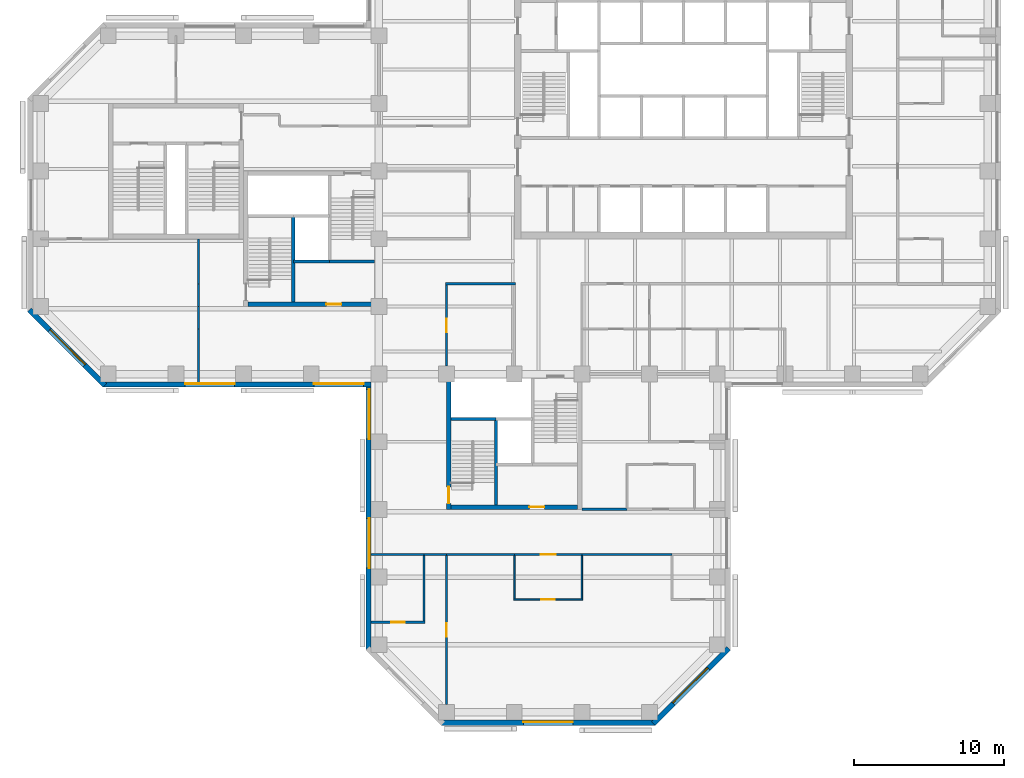
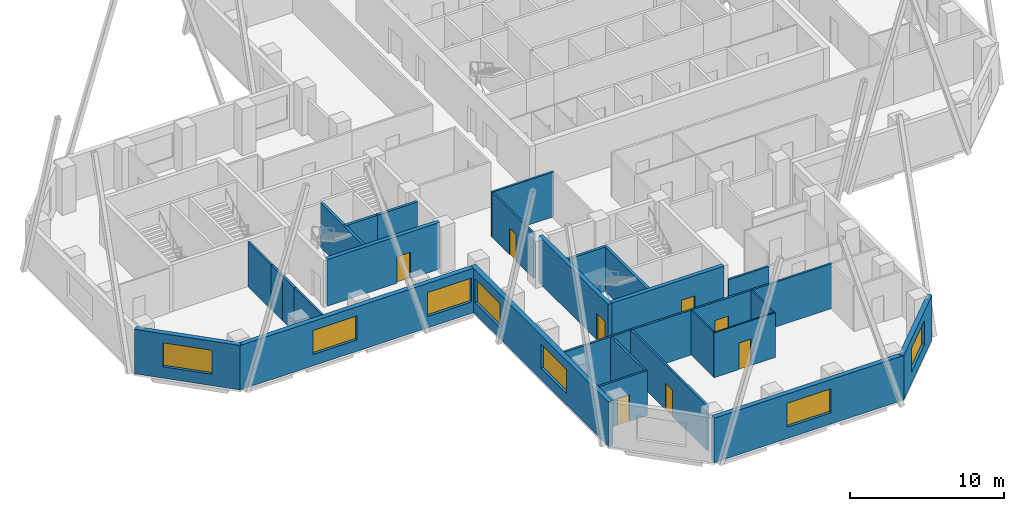
# One storey, part 3 of 10: 31 walls, 8 doors, 7 windows, 15 openings.
"""IFC4 building model written with IfcOpenShell, lengths in metres."""

from ifc_helpers import new_model, si_unit, direction, frame, frame_2d, origin, place, context, subcontext, project, spatial, rectangle, extrude, material, layer, layer_set, constituent, constituent_set, type_object, element, fill, save


model = new_model("IFC4")

# Units and contexts
model_context = context("Model", 3, precision=1e-05, world=origin(), true_north=direction((0.0, 1.0)))
body_context = subcontext(model_context, "Body", "Model", "MODEL_VIEW")
ifc_project = project(units=[si_unit("LENGTHUNIT", "METRE"), si_unit("AREAUNIT", "SQUARE_METRE"), si_unit("VOLUMEUNIT", "CUBIC_METRE"), si_unit("PLANEANGLEUNIT", "RADIAN"), si_unit("MASSUNIT", "GRAM", prefix="KILO")], contexts=[model_context])

# Site, building, storey
site_placement = place(None, origin())
site = spatial("IfcSite", under=ifc_project, at=site_placement, CompositionType="ELEMENT")
building_placement = place(site_placement, origin())
building = spatial("IfcBuilding", under=site, at=building_placement, Name="Quoin Convention Tower", CompositionType="ELEMENT")
storey_placement = place(building_placement, frame((0.0, 0.0, 97.39990234375)))
storey = spatial("IfcBuildingStorey", under=building, at=storey_placement, Name="L25", CompositionType="ELEMENT", Elevation=97.39990234375)

# Wall, opening, door
ifc_material_1 = material(Name="Plasterboard")
ifc_layer_1 = layer(ifc_material_1, 0.012451171875, Name="Finish")
ifc_material_2 = material(Name="Steel stud framing", Category="steel")
ifc_layer_2 = layer(ifc_material_2, 0.125, Name="Structure")
ifc_layer_3 = layer(ifc_material_1, 0.012451171875, Name="Finish")
ifc_layer_set_1 = layer_set([ifc_layer_1, ifc_layer_2, ifc_layer_3], Name="Steel stud framing")
wall_type_1 = type_object("IfcWallType", Name="Acoustic partition 150", PredefinedType="PARTITIONING", material=ifc_layer_set_1)
wall_1_placement = place(storey_placement, frame((35.47509765625, 24.0, 0.0), z_axis=(0.0, 0.0, 1.0), x_axis=(1.0, 0.0, 0.0)))
wall_1 = element("IfcWall", 1, at=wall_1_placement, inside=storey, type_object=wall_type_1, Name="pw-L25-001", PredefinedType="PARTITIONING", context=body_context, shape_type="SweptSolid", body=[
    extrude(rectangle(XDim=3.599853515625, YDim=0.14990234375, at=frame_2d((1.7998046875, 0.0))), origin(), (0.0, 0.0, 1.0), 3.550048828125),
])
opening_1_placement = place(wall_1_placement, frame((1.35009765625, 0.0, 0.0)))
opening_1 = element("IfcOpeningElement", 2, at=opening_1_placement, cuts=wall_1, Name="Opening DOL3-01", PredefinedType="OPENING", context=body_context, shape_type="SweptSolid", body=[
    extrude(rectangle(XDim=0.89990234375, YDim=2.10009765625, at=frame_2d((0.449951171875, 1.050048828125))), frame((0.0, 0.0849609375, 0.0), z_axis=(0.0, -1.0, 0.0), x_axis=(1.0, 0.0, 0.0)), (0.0, 0.0, 1.0), 0.169921875),
])
ifc_material_3 = material(Name="Steel door leaf", Category="steel")
door_type_1 = type_object("IfcDoorType", Name="Office door 900 x 2100", OperationType="SINGLE_SWING_RIGHT", PredefinedType="DOOR", material=ifc_material_3)
door_1_placement = place(opening_1_placement, frame((0.89990234375, 0.0, 0.0), z_axis=(0.0, 0.0, 1.0), x_axis=(-1.0, 0.0, 0.0)))
door_1 = element("IfcDoor", 3, at=door_1_placement, inside=storey, type_object=door_type_1, Name="dr-L25-11", OperationType="SINGLE_SWING_LEFT", OverallHeight=2.10009765625, OverallWidth=0.89990234375, PredefinedType="DOOR", context=body_context, shape_type="SweptSolid", body=[
    extrude(rectangle(XDim=0.89990234375, YDim=2.10009765625, at=frame_2d((0.449951171875, 1.050048828125))), frame((0.0, 0.02490234375, 0.0), z_axis=(0.0, -1.0, 0.0), x_axis=(1.0, 0.0, 0.0)), (0.0, 0.0, 1.0), 0.050048828125),
])
fill(opening_1, door_1)

wall_2_placement = place(storey_placement, frame((40.5, 18.52490234375, 0.0), z_axis=(0.0, 0.0, 1.0), x_axis=(0.0, 1.0, 0.0)))
wall_2 = element("IfcWall", 4, at=wall_2_placement, inside=storey, type_object=wall_type_1, Name="pw-L25-049", PredefinedType="PARTITIONING", context=body_context, shape_type="SweptSolid", body=[
    extrude(rectangle(XDim=9.900146484375, YDim=0.14990234375, at=frame_2d((4.9501953125, 0.0))), origin(), (0.0, 0.0, 1.0), 3.550048828125),
])
opening_2_placement = place(wall_2_placement, frame((4.5, 0.0, 0.0)))
opening_2 = element("IfcOpeningElement", 5, at=opening_2_placement, cuts=wall_2, Name="Opening DOL3-23", PredefinedType="OPENING", context=body_context, shape_type="SweptSolid", body=[
    extrude(rectangle(XDim=0.89990234375, YDim=2.10009765625, at=frame_2d((0.449951171875, 1.050048828125))), frame((0.0, 0.0849609375, 0.0), z_axis=(0.0, -1.0, 0.0), x_axis=(1.0, 0.0, 0.0)), (0.0, 0.0, 1.0), 0.169921875),
])
door_2_placement = place(opening_2_placement, frame((0.89990234375, 0.0, 0.0), z_axis=(0.0, 0.0, 1.0), x_axis=(-1.0, 0.0, 0.0)))
door_2 = element("IfcDoor", 6, at=door_2_placement, inside=storey, type_object=door_type_1, Name="dr-L25-10", OperationType="SINGLE_SWING_LEFT", OverallHeight=2.10009765625, OverallWidth=0.89990234375, PredefinedType="DOOR", context=body_context, shape_type="SweptSolid", body=[
    extrude(rectangle(XDim=0.89990234375, YDim=2.10009765625, at=frame_2d((0.449951171875, 1.050048828125))), frame((0.0, 0.02490234375, 0.0), z_axis=(0.0, -1.0, 0.0), x_axis=(1.0, 0.0, 0.0)), (0.0, 0.0, 1.0), 0.050048828125),
])
fill(opening_2, door_2)

# Wall
wall_3_placement = place(storey_placement, frame((39.0, 24.074951171875, 0.0), z_axis=(0.0, 0.0, 1.0), x_axis=(0.0, 1.0, 0.0)))
element("IfcWall", 7, at=wall_3_placement, inside=storey, type_object=wall_type_1, Name="pw-L25-050", PredefinedType="PARTITIONING", context=body_context, shape_type="SweptSolid", body=[
    extrude(rectangle(XDim=4.35009765625, YDim=0.14990234375, at=frame_2d((2.175048828125, 0.0))), origin(), (0.0, 0.0, 1.0), 3.550048828125),
])

# Wall, opening, window
ifc_material_4 = material(Name="Brick masonry", Category="masonry")
ifc_layer_4 = layer(ifc_material_4, 0.35009765625)
ifc_layer_set_2 = layer_set([ifc_layer_4], Name="Brick masonry")
wall_type_2 = type_object("IfcWallType", Name="Brick facade wall", PredefinedType="STANDARD", material=ifc_layer_set_2)
wall_4_placement = place(storey_placement, frame((12.748779296875, 44.76123046875, 0.0), z_axis=(0.0, 0.0, 1.0), x_axis=(0.707106781187, -0.707106781187, 0.0)))
wall_4 = element("IfcWall", 8, at=wall_4_placement, inside=storey, type_object=wall_type_2, Name="fw-L25-13500_45000", PredefinedType="STANDARD", context=body_context, shape_type="SweptSolid", body=[
    extrude(rectangle(XDim=7.088623046875, YDim=0.35009765625, at=frame_2d((3.54443359375, 0.0))), origin(), (0.0, 0.0, 1.0), 3.525146484375),
])
opening_3_placement = place(wall_4_placement, frame((1.894287109375, 0.0, 0.89990234375)))
opening_3 = element("IfcOpeningElement", 9, at=opening_3_placement, cuts=wall_4, Name="Opening W-02", PredefinedType="OPENING", context=body_context, shape_type="SweptSolid", body=[
    extrude(rectangle(XDim=3.300048828125, YDim=1.89990234375, at=frame_2d((1.64990234375, 0.949951171875))), frame((0.0, 0.18505859375, 0.0), z_axis=(0.0, -1.0, 0.0), x_axis=(1.0, 0.0, 0.0)), (0.0, 0.0, 1.0), 0.3701171875),
])
ifc_material_5 = material(Name="Aluminium", Category="aluminium")
ifc_constituent_1 = constituent(ifc_material_5, Name="Frame")
ifc_material_6 = material(Name="Insulated glass", Category="glass")
ifc_constituent_2 = constituent(ifc_material_6, Name="Glazing")
ifc_constituent_set = constituent_set(constituents=[ifc_constituent_1, ifc_constituent_2], Name="Aluminium")
window_type = type_object("IfcWindowType", Name="Office window", PartitioningType="DOUBLE_PANEL_VERTICAL", PredefinedType="WINDOW", material=ifc_constituent_set)
window_1_placement = place(opening_3_placement, origin())
window_1 = element("IfcWindow", 10, at=window_1_placement, inside=storey, type_object=window_type, Name="win-L25-15255_42255", OverallHeight=1.89990234375, OverallWidth=3.300048828125, PartitioningType="SINGLE_PANEL", PredefinedType="WINDOW", context=body_context, shape_type="SweptSolid", body=[
    extrude(rectangle(XDim=3.300048828125, YDim=1.89990234375, at=frame_2d((1.64990234375, 0.949951171875))), frame((0.0, 0.0849609375, 0.0), z_axis=(0.0, -1.0, 0.0), x_axis=(1.0, 0.0, 0.0)), (0.0, 0.0, 1.0), 0.06005859375),
])
fill(opening_3, window_1)

# Wall, openings, windows
wall_5_placement = place(storey_placement, frame((17.6376953125, 39.800048828125, 0.0), z_axis=(0.0, 0.0, 1.0), x_axis=(1.0, 0.0, 0.0)))
wall_5 = element("IfcWall", 11, at=wall_5_placement, inside=storey, type_object=wall_type_2, Name="fw-L25-18000_40500", PredefinedType="STANDARD", context=body_context, shape_type="SweptSolid", body=[
    extrude(rectangle(XDim=17.83740234375, YDim=0.35009765625, at=frame_2d((8.918701171875, 0.0))), origin(), (0.0, 0.0, 1.0), 3.525146484375),
])
opening_4_placement = place(wall_5_placement, frame((5.46240234375, 0.0, 0.89990234375)))
opening_4 = element("IfcOpeningElement", 12, at=opening_4_placement, cuts=wall_5, Name="Opening W-02", PredefinedType="OPENING", context=body_context, shape_type="SweptSolid", body=[
    extrude(rectangle(XDim=3.300048828125, YDim=1.89990234375, at=frame_2d((1.64990234375, 0.949951171875))), frame((0.0, 0.18505859375, 0.0), z_axis=(0.0, -1.0, 0.0), x_axis=(1.0, 0.0, 0.0)), (0.0, 0.0, 1.0), 0.3701171875),
])
opening_5_placement = place(wall_5_placement, frame((14.037353515625, 0.0, 0.89990234375)))
opening_5 = element("IfcOpeningElement", 13, at=opening_5_placement, cuts=wall_5, Name="Opening W-02", PredefinedType="OPENING", context=body_context, shape_type="SweptSolid", body=[
    extrude(rectangle(XDim=3.300048828125, YDim=1.89990234375, at=frame_2d((1.64990234375, 0.949951171875))), frame((0.0, 0.18505859375, 0.0), z_axis=(0.0, -1.0, 0.0), x_axis=(1.0, 0.0, 0.0)), (0.0, 0.0, 1.0), 0.3701171875),
])
window_2_placement = place(opening_4_placement, origin())
window_2 = element("IfcWindow", 14, at=window_2_placement, inside=storey, type_object=window_type, Name="win-L25-24750_39800", OverallHeight=1.89990234375, OverallWidth=3.300048828125, PartitioningType="SINGLE_PANEL", PredefinedType="WINDOW", context=body_context, shape_type="SweptSolid", body=[
    extrude(rectangle(XDim=3.300048828125, YDim=1.89990234375, at=frame_2d((1.64990234375, 0.949951171875))), frame((0.0, 0.0849609375, 0.0), z_axis=(0.0, -1.0, 0.0), x_axis=(1.0, 0.0, 0.0)), (0.0, 0.0, 1.0), 0.06005859375),
])
fill(opening_4, window_2)
window_3_placement = place(opening_5_placement, origin())
window_3 = element("IfcWindow", 15, at=window_3_placement, inside=storey, type_object=window_type, Name="win-L25-33750_39800", OverallHeight=1.89990234375, OverallWidth=3.300048828125, PartitioningType="SINGLE_PANEL", PredefinedType="WINDOW", context=body_context, shape_type="SweptSolid", body=[
    extrude(rectangle(XDim=3.300048828125, YDim=1.89990234375, at=frame_2d((1.64990234375, 0.949951171875))), frame((0.0, 0.0849609375, 0.0), z_axis=(0.0, -1.0, 0.0), x_axis=(1.0, 0.0, 0.0)), (0.0, 0.0, 1.0), 0.06005859375),
])
fill(opening_5, window_3)

wall_6_placement = place(storey_placement, frame((35.300048828125, 39.97509765625, 0.0), z_axis=(0.0, 0.0, 1.0), x_axis=(0.0, -1.0, 0.0)))
wall_6 = element("IfcWall", 16, at=wall_6_placement, inside=storey, type_object=wall_type_2, Name="fw-L25-36000_40500", PredefinedType="STANDARD", context=body_context, shape_type="SweptSolid", body=[
    extrude(rectangle(XDim=17.83740234375, YDim=0.35009765625, at=frame_2d((8.918701171875, 0.0))), origin(), (0.0, 0.0, 1.0), 3.525146484375),
])
opening_6_placement = place(wall_6_placement, frame((0.5, 0.0, 0.89990234375)))
opening_6 = element("IfcOpeningElement", 17, at=opening_6_placement, cuts=wall_6, Name="Opening W-02", PredefinedType="OPENING", context=body_context, shape_type="SweptSolid", body=[
    extrude(rectangle(XDim=3.300048828125, YDim=1.89990234375, at=frame_2d((1.64990234375, 0.949951171875))), frame((0.0, 0.18505859375, 0.0), z_axis=(0.0, -1.0, 0.0), x_axis=(1.0, 0.0, 0.0)), (0.0, 0.0, 1.0), 0.3701171875),
])
opening_7_placement = place(wall_6_placement, frame((9.074951171875, 0.0, 0.89990234375)))
opening_7 = element("IfcOpeningElement", 18, at=opening_7_placement, cuts=wall_6, Name="Opening W-02", PredefinedType="OPENING", context=body_context, shape_type="SweptSolid", body=[
    extrude(rectangle(XDim=3.300048828125, YDim=1.89990234375, at=frame_2d((1.64990234375, 0.949951171875))), frame((0.0, 0.18505859375, 0.0), z_axis=(0.0, -1.0, 0.0), x_axis=(1.0, 0.0, 0.0)), (0.0, 0.0, 1.0), 0.3701171875),
])
window_4_placement = place(opening_6_placement, origin())
window_4 = element("IfcWindow", 19, at=window_4_placement, inside=storey, type_object=window_type, Name="win-L25-35300_38250", OverallHeight=1.89990234375, OverallWidth=3.300048828125, PartitioningType="SINGLE_PANEL", PredefinedType="WINDOW", context=body_context, shape_type="SweptSolid", body=[
    extrude(rectangle(XDim=3.300048828125, YDim=1.89990234375, at=frame_2d((1.64990234375, 0.949951171875))), frame((0.0, 0.0849609375, 0.0), z_axis=(0.0, -1.0, 0.0), x_axis=(1.0, 0.0, 0.0)), (0.0, 0.0, 1.0), 0.06005859375),
])
fill(opening_6, window_4)
window_5_placement = place(opening_7_placement, origin())
window_5 = element("IfcWindow", 20, at=window_5_placement, inside=storey, type_object=window_type, Name="win-L25-35300_29250", OverallHeight=1.89990234375, OverallWidth=3.300048828125, PartitioningType="SINGLE_PANEL", PredefinedType="WINDOW", context=body_context, shape_type="SweptSolid", body=[
    extrude(rectangle(XDim=3.300048828125, YDim=1.89990234375, at=frame_2d((1.64990234375, 0.949951171875))), frame((0.0, 0.0849609375, 0.0), z_axis=(0.0, -1.0, 0.0), x_axis=(1.0, 0.0, 0.0)), (0.0, 0.0, 1.0), 0.06005859375),
])
fill(opening_7, window_5)

# Wall, opening, window
wall_7_placement = place(storey_placement, frame((40.1376953125, 17.300048828125, 0.0), z_axis=(0.0, 0.0, 1.0), x_axis=(1.0, 0.0, 0.0)))
wall_7 = element("IfcWall", 21, at=wall_7_placement, inside=storey, type_object=wall_type_2, Name="fw-L25-40500_18000", PredefinedType="STANDARD", context=body_context, shape_type="SweptSolid", body=[
    extrude(rectangle(XDim=14.224609375, YDim=0.35009765625, at=frame_2d((7.1123046875, 0.0))), origin(), (0.0, 0.0, 1.0), 3.525146484375),
])
opening_8_placement = place(wall_7_placement, frame((5.46240234375, 0.0, 0.89990234375)))
opening_8 = element("IfcOpeningElement", 22, at=opening_8_placement, cuts=wall_7, Name="Opening W-02", PredefinedType="OPENING", context=body_context, shape_type="SweptSolid", body=[
    extrude(rectangle(XDim=3.300048828125, YDim=1.89990234375, at=frame_2d((1.64990234375, 0.949951171875))), frame((0.0, 0.18505859375, 0.0), z_axis=(0.0, -1.0, 0.0), x_axis=(1.0, 0.0, 0.0)), (0.0, 0.0, 1.0), 0.3701171875),
])
window_6_placement = place(opening_8_placement, origin())
window_6 = element("IfcWindow", 23, at=window_6_placement, inside=storey, type_object=window_type, Name="win-L25-47250_17300", OverallHeight=1.89990234375, OverallWidth=3.300048828125, PartitioningType="SINGLE_PANEL", PredefinedType="WINDOW", context=body_context, shape_type="SweptSolid", body=[
    extrude(rectangle(XDim=3.300048828125, YDim=1.89990234375, at=frame_2d((1.64990234375, 0.949951171875))), frame((0.0, 0.0849609375, 0.0), z_axis=(0.0, -1.0, 0.0), x_axis=(1.0, 0.0, 0.0)), (0.0, 0.0, 1.0), 0.06005859375),
])
fill(opening_8, window_6)

wall_8_placement = place(storey_placement, frame((54.23876953125, 17.248779296875, 0.0), z_axis=(0.0, 0.0, 1.0), x_axis=(0.707106781187, 0.707106781187, 0.0)))
wall_8 = element("IfcWall", 24, at=wall_8_placement, inside=storey, type_object=wall_type_2, Name="fw-L25-54000_18000", PredefinedType="STANDARD", context=body_context, shape_type="SweptSolid", body=[
    extrude(rectangle(XDim=7.088623046875, YDim=0.35009765625, at=frame_2d((3.54443359375, 0.0))), origin(), (0.0, 0.0, 1.0), 3.525146484375),
])
opening_9_placement = place(wall_8_placement, frame((1.894287109375, 0.0, 0.89990234375)))
opening_9 = element("IfcOpeningElement", 25, at=opening_9_placement, cuts=wall_8, Name="Opening W-02", PredefinedType="OPENING", context=body_context, shape_type="SweptSolid", body=[
    extrude(rectangle(XDim=3.300048828125, YDim=1.89990234375, at=frame_2d((1.64990234375, 0.949951171875))), frame((0.0, 0.18505859375, 0.0), z_axis=(0.0, -1.0, 0.0), x_axis=(1.0, 0.0, 0.0)), (0.0, 0.0, 1.0), 0.3701171875),
])
window_7_placement = place(opening_9_placement, origin())
window_7 = element("IfcWindow", 26, at=window_7_placement, inside=storey, type_object=window_type, Name="win-L25-56745_19755", OverallHeight=1.89990234375, OverallWidth=3.300048828125, PartitioningType="SINGLE_PANEL", PredefinedType="WINDOW", context=body_context, shape_type="SweptSolid", body=[
    extrude(rectangle(XDim=3.300048828125, YDim=1.89990234375, at=frame_2d((1.64990234375, 0.949951171875))), frame((0.0, 0.0849609375, 0.0), z_axis=(0.0, -1.0, 0.0), x_axis=(1.0, 0.0, 0.0)), (0.0, 0.0, 1.0), 0.06005859375),
])
fill(opening_9, window_7)

# Walls
ifc_material_7 = material(Name="Concrete C50", Category="concrete")
ifc_layer_5 = layer(ifc_material_7, 0.199951171875)
ifc_layer_set_3 = layer_set([ifc_layer_5], Name="Concrete C50")
wall_type_3 = type_object("IfcWallType", Name="Core shaft wall", PredefinedType="SOLIDWALL", material=ifc_layer_set_3)
wall_9_placement = place(storey_placement, frame((30.300048828125, 48.0, 0.0), z_axis=(0.0, 0.0, 1.0), x_axis=(1.0, 0.0, 0.0)))
element("IfcWall", 27, at=wall_9_placement, inside=storey, type_object=wall_type_3, Name="cr-P2-L25-h3000_3300", PredefinedType="SOLIDWALL", context=body_context, shape_type="SweptSolid", body=[
    extrude(rectangle(XDim=2.39990234375, YDim=0.199951171875, at=frame_2d((1.199951171875, 0.0))), origin(), (0.0, 0.0, 1.0), 3.550048828125),
])
wall_10_placement = place(storey_placement, frame((32.699951171875, 48.0, 0.0), z_axis=(0.0, 0.0, 1.0), x_axis=(1.0, 0.0, 0.0)))
element("IfcWall", 28, at=wall_10_placement, inside=storey, type_object=wall_type_3, Name="cr-P2-L25-h3000_5700", PredefinedType="SOLIDWALL", context=body_context, shape_type="SweptSolid", body=[
    extrude(rectangle(XDim=3.0, YDim=0.199951171875, at=frame_2d((1.5, 0.0))), origin(), (0.0, 0.0, 1.0), 3.550048828125),
])
wall_11_placement = place(storey_placement, frame((30.300048828125, 45.300048828125, 0.0), z_axis=(0.0, 0.0, 1.0), x_axis=(0.0, 1.0, 0.0)))
element("IfcWall", 29, at=wall_11_placement, inside=storey, type_object=wall_type_3, Name="cr-P2-L25-v3300_300", PredefinedType="SOLIDWALL", context=body_context, shape_type="SweptSolid", body=[
    extrude(rectangle(XDim=5.699951171875, YDim=0.199951171875, at=frame_2d((2.85009765625, 0.0))), origin(), (0.0, 0.0, 1.0), 3.550048828125),
])
wall_12_placement = place(storey_placement, frame((40.800048828125, 37.5, 0.0), z_axis=(0.0, 0.0, 1.0), x_axis=(1.0, 0.0, 0.0)))
element("IfcWall", 30, at=wall_12_placement, inside=storey, type_object=wall_type_3, Name="cr-P3-L25-h6000_300", PredefinedType="SOLIDWALL", context=body_context, shape_type="SweptSolid", body=[
    extrude(rectangle(XDim=3.0, YDim=0.199951171875, at=frame_2d((1.5, 0.0))), origin(), (0.0, 0.0, 1.0), 3.550048828125),
])
wall_13_placement = place(storey_placement, frame((43.800048828125, 31.800048828125, 0.0), z_axis=(0.0, 0.0, 1.0), x_axis=(0.0, 1.0, 0.0)))
element("IfcWall", 31, at=wall_13_placement, inside=storey, type_object=wall_type_3, Name="cr-P3-L25-v3300_300", PredefinedType="SOLIDWALL", context=body_context, shape_type="SweptSolid", body=[
    extrude(rectangle(XDim=5.699951171875, YDim=0.199951171875, at=frame_2d((2.85009765625, 0.0))), origin(), (0.0, 0.0, 1.0), 3.550048828125),
])
ifc_layer_6 = layer(ifc_material_1, 0.012451171875, Name="Finish")
ifc_layer_7 = layer(ifc_material_2, 0.125, Name="Structure")
ifc_layer_8 = layer(ifc_material_1, 0.012451171875, Name="Finish")
ifc_layer_set_4 = layer_set([ifc_layer_6, ifc_layer_7, ifc_layer_8], Name="Steel stud framing")
wall_type_4 = type_object("IfcWallType", Name="Corridor wall 150", PredefinedType="PARTITIONING", material=ifc_layer_set_4)
wall_14_placement = place(storey_placement, frame((35.47509765625, 28.5, 0.0), z_axis=(0.0, 0.0, 1.0), x_axis=(1.0, 0.0, 0.0)))
element("IfcWall", 32, at=wall_14_placement, inside=storey, type_object=wall_type_4, Name="pw-L25-004", PredefinedType="PARTITIONING", context=body_context, shape_type="SweptSolid", body=[
    extrude(rectangle(XDim=3.52490234375, YDim=0.14990234375, at=frame_2d((1.762451171875, 0.0))), origin(), (0.0, 0.0, 1.0), 3.550048828125),
])
wall_15_placement = place(storey_placement, frame((39.0, 28.5, 0.0), z_axis=(0.0, 0.0, 1.0), x_axis=(1.0, 0.0, 0.0)))
element("IfcWall", 33, at=wall_15_placement, inside=storey, type_object=wall_type_4, Name="pw-L25-005", PredefinedType="PARTITIONING", context=body_context, shape_type="SweptSolid", body=[
    extrude(rectangle(XDim=1.5, YDim=0.14990234375, at=frame_2d((0.75, 0.0))), origin(), (0.0, 0.0, 1.0), 3.550048828125),
])
wall_16_placement = place(storey_placement, frame((40.5, 28.5, 0.0), z_axis=(0.0, 0.0, 1.0), x_axis=(1.0, 0.0, 0.0)))
element("IfcWall", 34, at=wall_16_placement, inside=storey, type_object=wall_type_4, Name="pw-L25-006", PredefinedType="PARTITIONING", context=body_context, shape_type="SweptSolid", body=[
    extrude(rectangle(XDim=4.5, YDim=0.14990234375, at=frame_2d((2.25, 0.0))), origin(), (0.0, 0.0, 1.0), 3.550048828125),
])

# Wall, opening, door
wall_17_placement = place(storey_placement, frame((45.0, 28.5, 0.0), z_axis=(0.0, 0.0, 1.0), x_axis=(1.0, 0.0, 0.0)))
wall_17 = element("IfcWall", 35, at=wall_17_placement, inside=storey, type_object=wall_type_4, Name="pw-L25-007", PredefinedType="PARTITIONING", context=body_context, shape_type="SweptSolid", body=[
    extrude(rectangle(XDim=4.5, YDim=0.14990234375, at=frame_2d((2.25, 0.0))), origin(), (0.0, 0.0, 1.0), 3.550048828125),
])
opening_10_placement = place(wall_17_placement, frame((1.75, 0.0, 0.0)))
opening_10 = element("IfcOpeningElement", 36, at=opening_10_placement, cuts=wall_17, Name="Opening DOL3-04", PredefinedType="OPENING", context=body_context, shape_type="SweptSolid", body=[
    extrude(rectangle(XDim=1.0, YDim=2.10009765625, at=frame_2d((0.5, 1.050048828125))), frame((0.0, 0.0849609375, 0.0), z_axis=(0.0, -1.0, 0.0), x_axis=(1.0, 0.0, 0.0)), (0.0, 0.0, 1.0), 0.169921875),
])
door_type_2 = type_object("IfcDoorType", Name="Tenancy entrance door 1000 x 2100", OperationType="DOUBLE_DOOR_SINGLE_SWING", PredefinedType="DOOR", material=ifc_material_3)
door_3_placement = place(opening_10_placement, frame((1.0, 0.0, 0.0), z_axis=(0.0, 0.0, 1.0), x_axis=(-1.0, 0.0, 0.0)))
door_3 = element("IfcDoor", 37, at=door_3_placement, inside=storey, type_object=door_type_2, Name="dr-L25-07", OperationType="DOUBLE_DOOR_SINGLE_SWING", OverallHeight=2.10009765625, OverallWidth=1.0, PredefinedType="DOOR", context=body_context, shape_type="SweptSolid", body=[
    extrude(rectangle(XDim=1.0, YDim=2.10009765625, at=frame_2d((0.5, 1.050048828125))), frame((0.0, 0.02490234375, 0.0), z_axis=(0.0, -1.0, 0.0), x_axis=(1.0, 0.0, 0.0)), (0.0, 0.0, 1.0), 0.050048828125),
])
fill(opening_10, door_3)

# Walls
wall_18_placement = place(storey_placement, frame((49.5, 28.5, 0.0), z_axis=(0.0, 0.0, 1.0), x_axis=(1.0, 0.0, 0.0)))
element("IfcWall", 38, at=wall_18_placement, inside=storey, type_object=wall_type_4, Name="pw-L25-008", PredefinedType="PARTITIONING", context=body_context, shape_type="SweptSolid", body=[
    extrude(rectangle(XDim=6.0, YDim=0.14990234375, at=frame_2d((3.0, 0.0))), origin(), (0.0, 0.0, 1.0), 3.550048828125),
])
wall_19_placement = place(storey_placement, frame((40.425048828125, 46.5, 0.0), z_axis=(0.0, 0.0, 1.0), x_axis=(1.0, 0.0, 0.0)))
element("IfcWall", 39, at=wall_19_placement, inside=storey, type_object=wall_type_4, Name="pw-L25-023", PredefinedType="PARTITIONING", context=body_context, shape_type="SweptSolid", body=[
    extrude(rectangle(XDim=4.64990234375, YDim=0.14990234375, at=frame_2d((2.324951171875, 0.0))), origin(), (0.0, 0.0, 1.0), 3.550048828125),
])
wall_20_placement = place(storey_placement, frame((24.0, 39.97509765625, 0.0), z_axis=(0.0, 0.0, 1.0), x_axis=(0.0, 1.0, 0.0)))
element("IfcWall", 40, at=wall_20_placement, inside=storey, type_object=wall_type_4, Name="pw-L25-058", PredefinedType="PARTITIONING", context=body_context, shape_type="SweptSolid", body=[
    extrude(rectangle(XDim=3.52490234375, YDim=0.14990234375, at=frame_2d((1.762451171875, 0.0))), origin(), (0.0, 0.0, 1.0), 3.550048828125),
])

# Wall, opening, door
wall_21_placement = place(storey_placement, frame((40.5, 41.02490234375, 0.0), z_axis=(0.0, 0.0, 1.0), x_axis=(0.0, 1.0, 0.0)))
wall_21 = element("IfcWall", 41, at=wall_21_placement, inside=storey, type_object=wall_type_4, Name="pw-L25-060", PredefinedType="PARTITIONING", context=body_context, shape_type="SweptSolid", body=[
    extrude(rectangle(XDim=5.400146484375, YDim=0.14990234375, at=frame_2d((2.7001953125, 0.0))), origin(), (0.0, 0.0, 1.0), 3.550048828125),
])
opening_11_placement = place(wall_21_placement, frame((2.25, 0.0, 0.0)))
opening_11 = element("IfcOpeningElement", 42, at=opening_11_placement, cuts=wall_21, Name="Opening DOL3-24", PredefinedType="OPENING", context=body_context, shape_type="SweptSolid", body=[
    extrude(rectangle(XDim=0.89990234375, YDim=2.10009765625, at=frame_2d((0.449951171875, 1.050048828125))), frame((0.0, 0.0849609375, 0.0), z_axis=(0.0, -1.0, 0.0), x_axis=(1.0, 0.0, 0.0)), (0.0, 0.0, 1.0), 0.169921875),
])
door_4_placement = place(opening_11_placement, frame((0.89990234375, 0.0, 0.0), z_axis=(0.0, 0.0, 1.0), x_axis=(-1.0, 0.0, 0.0)))
door_4 = element("IfcDoor", 43, at=door_4_placement, inside=storey, type_object=door_type_1, Name="dr-L25-02", OperationType="SINGLE_SWING_LEFT", OverallHeight=2.10009765625, OverallWidth=0.89990234375, PredefinedType="DOOR", context=body_context, shape_type="SweptSolid", body=[
    extrude(rectangle(XDim=0.89990234375, YDim=2.10009765625, at=frame_2d((0.449951171875, 1.050048828125))), frame((0.0, 0.02490234375, 0.0), z_axis=(0.0, -1.0, 0.0), x_axis=(1.0, 0.0, 0.0)), (0.0, 0.0, 1.0), 0.050048828125),
])
fill(opening_11, door_4)

# Walls
for number, where, z_axis, x_axis, name in (
    (44, (24.0, 43.5, 0.0), (0.0, 0.0, 1.0), (0.0, 1.0, 0.0), "pw-L25-065"),
    (45, (24.0, 45.0, 0.0), (0.0, 0.0, 1.0), (0.0, 1.0, 0.0), "pw-L25-068"),
):
    element("IfcWall", number, at=place(storey_placement, frame(where, z_axis=z_axis, x_axis=x_axis)), inside=storey, type_object=wall_type_4, Name=name, PredefinedType="PARTITIONING", context=body_context, shape_type="SweptSolid", body=[
        extrude(rectangle(XDim=1.5, YDim=0.14990234375, at=frame_2d((0.75, 0.0))), origin(), (0.0, 0.0, 1.0), 3.550048828125),
    ])
wall_22_placement = place(storey_placement, frame((24.0, 46.5, 0.0), z_axis=(0.0, 0.0, 1.0), x_axis=(0.0, 1.0, 0.0)))
element("IfcWall", 46, at=wall_22_placement, inside=storey, type_object=wall_type_4, Name="pw-L25-069", PredefinedType="PARTITIONING", context=body_context, shape_type="SweptSolid", body=[
    extrude(rectangle(XDim=3.0, YDim=0.14990234375, at=frame_2d((1.5, 0.0))), origin(), (0.0, 0.0, 1.0), 3.550048828125),
])
ifc_layer_9 = layer(ifc_material_1, 0.012451171875, Name="Finish")
ifc_layer_10 = layer(ifc_material_2, 0.125, Name="Structure")
ifc_layer_11 = layer(ifc_material_1, 0.012451171875, Name="Finish")
ifc_layer_set_5 = layer_set([ifc_layer_9, ifc_layer_10, ifc_layer_11], Name="Steel stud framing")
wall_type_5 = type_object("IfcWallType", Name="Corridor wall 150 under beam 1000", PredefinedType="PARTITIONING", material=ifc_layer_set_5)
wall_23_placement = place(storey_placement, frame((49.5, 31.5, 0.0), z_axis=(0.0, 0.0, 1.0), x_axis=(1.0, 0.0, 0.0)))
element("IfcWall", 47, at=wall_23_placement, inside=storey, type_object=wall_type_5, Name="pw-L25-010", PredefinedType="PARTITIONING", context=body_context, shape_type="SweptSolid", body=[
    extrude(rectangle(XDim=3.0, YDim=0.14990234375, at=frame_2d((1.5, 0.0))), origin(), (0.0, 0.0, 1.0), 2.550048828125),
])

# Wall, opening, door
ifc_material_8 = material(Name="Concrete C65", Category="concrete")
ifc_layer_12 = layer(ifc_material_8, 0.300048828125)
ifc_layer_set_6 = layer_set([ifc_layer_12], Name="Concrete C65")
wall_type_6 = type_object("IfcWallType", Name="RC CORE WALL 300 C65", PredefinedType="SHEAR", material=ifc_layer_set_6)
wall_24_placement = place(storey_placement, frame((27.300048828125, 45.14990234375, 0.0), z_axis=(0.0, 0.0, 1.0), x_axis=(1.0, 0.0, 0.0)))
wall_24 = element("IfcWall", 48, at=wall_24_placement, inside=storey, type_object=wall_type_6, Name="cwl-P2-L25-S", PredefinedType="SHEAR", context=body_context, shape_type="SweptSolid", body=[
    extrude(rectangle(XDim=8.39990234375, YDim=0.300048828125, at=frame_2d((4.199951171875, 0.0))), origin(), (0.0, 0.0, 1.0), 3.7001953125),
])
opening_12_placement = place(wall_24_placement, frame((5.199951171875, 0.0, 0.0)))
opening_12 = element("IfcOpeningElement", 49, at=opening_12_placement, cuts=wall_24, Name="Opening DCV3-41", PredefinedType="OPENING", context=body_context, shape_type="SweptSolid", body=[
    extrude(rectangle(XDim=1.0, YDim=2.10009765625, at=frame_2d((0.5, 1.050048828125))), frame((0.0, 0.159912109375, 0.0), z_axis=(0.0, -1.0, 0.0), x_axis=(1.0, 0.0, 0.0)), (0.0, 0.0, 1.0), 0.320068359375),
])
door_type_3 = type_object("IfcDoorType", Name="Service door 1000 x 2100", OperationType="SINGLE_SWING_LEFT", PredefinedType="DOOR", material=ifc_material_3)
door_5_placement = place(opening_12_placement, origin())
door_5 = element("IfcDoor", 50, at=door_5_placement, inside=storey, type_object=door_type_3, Name="cd-P2-L25-R2-S", OperationType="SINGLE_SWING_LEFT", OverallHeight=2.10009765625, OverallWidth=1.0, PredefinedType="DOOR", context=body_context, shape_type="SweptSolid", body=[
    extrude(rectangle(XDim=1.0, YDim=2.10009765625, at=frame_2d((0.5, 1.050048828125))), frame((0.0, 0.02490234375, 0.0), z_axis=(0.0, -1.0, 0.0), x_axis=(1.0, 0.0, 0.0)), (0.0, 0.0, 1.0), 0.050048828125),
])
fill(opening_12, door_5)

wall_25_placement = place(storey_placement, frame((40.800048828125, 31.64990234375, 0.0), z_axis=(0.0, 0.0, 1.0), x_axis=(1.0, 0.0, 0.0)))
wall_25 = element("IfcWall", 51, at=wall_25_placement, inside=storey, type_object=wall_type_6, Name="cwl-P3-L25-S", PredefinedType="SHEAR", context=body_context, shape_type="SweptSolid", body=[
    extrude(rectangle(XDim=8.39990234375, YDim=0.300048828125, at=frame_2d((4.199951171875, 0.0))), origin(), (0.0, 0.0, 1.0), 3.7001953125),
])
opening_13_placement = place(wall_25_placement, frame((5.199951171875, 0.0, 0.0)))
opening_13 = element("IfcOpeningElement", 52, at=opening_13_placement, cuts=wall_25, Name="Opening DCV3-42", PredefinedType="OPENING", context=body_context, shape_type="SweptSolid", body=[
    extrude(rectangle(XDim=1.0, YDim=2.10009765625, at=frame_2d((0.5, 1.050048828125))), frame((0.0, 0.159912109375, 0.0), z_axis=(0.0, -1.0, 0.0), x_axis=(1.0, 0.0, 0.0)), (0.0, 0.0, 1.0), 0.320068359375),
])
door_6_placement = place(opening_13_placement, origin())
door_6 = element("IfcDoor", 53, at=door_6_placement, inside=storey, type_object=door_type_3, Name="cd-P3-L25-R2-S", OperationType="SINGLE_SWING_LEFT", OverallHeight=2.10009765625, OverallWidth=1.0, PredefinedType="DOOR", context=body_context, shape_type="SweptSolid", body=[
    extrude(rectangle(XDim=1.0, YDim=2.10009765625, at=frame_2d((0.5, 1.050048828125))), frame((0.0, 0.02490234375, 0.0), z_axis=(0.0, -1.0, 0.0), x_axis=(1.0, 0.0, 0.0)), (0.0, 0.0, 1.0), 0.050048828125),
])
fill(opening_13, door_6)

wall_26_placement = place(storey_placement, frame((40.64990234375, 31.5, 0.0), z_axis=(0.0, 0.0, 1.0), x_axis=(0.0, 1.0, 0.0)))
wall_26 = element("IfcWall", 54, at=wall_26_placement, inside=storey, type_object=wall_type_6, Name="cwl-P3-L25-W", PredefinedType="SHEAR", context=body_context, shape_type="SweptSolid", body=[
    extrude(rectangle(XDim=9.0, YDim=0.300048828125, at=frame_2d((4.5, 0.0))), origin(), (0.0, 0.0, 1.0), 3.7001953125),
])
opening_14_placement = place(wall_26_placement, frame((0.39990234375, 0.0, 0.0)))
opening_14 = element("IfcOpeningElement", 55, at=opening_14_placement, cuts=wall_26, Name="Opening SD5", PredefinedType="OPENING", context=body_context, shape_type="SweptSolid", body=[
    extrude(rectangle(XDim=1.10009765625, YDim=2.10009765625, at=frame_2d((0.550048828125, 1.050048828125))), frame((0.0, 0.159912109375, 0.0), z_axis=(0.0, -1.0, 0.0), x_axis=(1.0, 0.0, 0.0)), (0.0, 0.0, 1.0), 0.320068359375),
])
door_type_4 = type_object("IfcDoorType", Name="Stair door 1100 x 2100", OperationType="SINGLE_SWING_RIGHT", PredefinedType="DOOR", material=ifc_material_3)
door_7_placement = place(opening_14_placement, frame((1.10009765625, 0.0, 0.0), z_axis=(0.0, 0.0, 1.0), x_axis=(-1.0, 0.0, 0.0)))
door_7 = element("IfcDoor", 56, at=door_7_placement, inside=storey, type_object=door_type_4, Name="cd-P3-L25-SA-W", OperationType="SINGLE_SWING_RIGHT", OverallHeight=2.10009765625, OverallWidth=1.10009765625, PredefinedType="DOOR", context=body_context, shape_type="SweptSolid", body=[
    extrude(rectangle(XDim=1.10009765625, YDim=2.10009765625, at=frame_2d((0.550048828125, 1.050048828125))), frame((0.0, 0.02490234375, 0.0), z_axis=(0.0, -1.0, 0.0), x_axis=(1.0, 0.0, 0.0)), (0.0, 0.0, 1.0), 0.050048828125),
])
fill(opening_14, door_7)

ifc_layer_13 = layer(ifc_material_1, 0.012451171875, Name="Finish")
ifc_layer_14 = layer(ifc_material_2, 0.074951171875, Name="Structure")
ifc_layer_15 = layer(ifc_material_1, 0.012451171875, Name="Finish")
ifc_layer_set_7 = layer_set([ifc_layer_13, ifc_layer_14, ifc_layer_15], Name="Steel stud framing")
wall_type_7 = type_object("IfcWallType", Name="Stud partition 100", PredefinedType="PARTITIONING", material=ifc_layer_set_7)
wall_27_placement = place(storey_placement, frame((44.949951171875, 25.5, 0.0), z_axis=(0.0, 0.0, 1.0), x_axis=(1.0, 0.0, 0.0)))
wall_27 = element("IfcWall", 57, at=wall_27_placement, inside=storey, type_object=wall_type_7, Name="pw-L25-002", PredefinedType="PARTITIONING", context=body_context, shape_type="SweptSolid", body=[
    extrude(rectangle(XDim=4.60009765625, YDim=0.10009765625, at=frame_2d((2.300048828125, 0.0))), origin(), (0.0, 0.0, 1.0), 3.550048828125),
])
opening_15_placement = place(wall_27_placement, frame((1.85009765625, 0.0, 0.0)))
opening_15 = element("IfcOpeningElement", 58, at=opening_15_placement, cuts=wall_27, Name="Opening DOL3-02", PredefinedType="OPENING", context=body_context, shape_type="SweptSolid", body=[
    extrude(rectangle(XDim=0.89990234375, YDim=2.10009765625, at=frame_2d((0.449951171875, 1.050048828125))), frame((0.0, 0.06005859375, 0.0), z_axis=(0.0, -1.0, 0.0), x_axis=(1.0, 0.0, 0.0)), (0.0, 0.0, 1.0), 0.1201171875),
])
door_8_placement = place(opening_15_placement, frame((0.89990234375, 0.0, 0.0), z_axis=(0.0, 0.0, 1.0), x_axis=(-1.0, 0.0, 0.0)))
door_8 = element("IfcDoor", 59, at=door_8_placement, inside=storey, type_object=door_type_1, Name="dr-L25-08", OperationType="SINGLE_SWING_LEFT", OverallHeight=2.10009765625, OverallWidth=0.89990234375, PredefinedType="DOOR", context=body_context, shape_type="SweptSolid", body=[
    extrude(rectangle(XDim=0.89990234375, YDim=2.10009765625, at=frame_2d((0.449951171875, 1.050048828125))), frame((0.0, 0.02490234375, 0.0), z_axis=(0.0, -1.0, 0.0), x_axis=(1.0, 0.0, 0.0)), (0.0, 0.0, 1.0), 0.050048828125),
])
fill(opening_15, door_8)

# Walls
for number, where, z_axis, x_axis, name in (
    (60, (45.0, 25.550048828125, 0.0), (0.0, 0.0, 1.0), (0.0, 1.0, 0.0), "pw-L25-051"),
    (61, (49.5, 25.550048828125, 0.0), (0.0, 0.0, 1.0), (0.0, 1.0, 0.0), "pw-L25-052"),
):
    element("IfcWall", number, at=place(storey_placement, frame(where, z_axis=z_axis, x_axis=x_axis)), inside=storey, type_object=wall_type_7, Name=name, PredefinedType="PARTITIONING", context=body_context, shape_type="SweptSolid", body=[
        extrude(rectangle(XDim=2.875, YDim=0.10009765625, at=frame_2d((1.4375, 0.0))), origin(), (0.0, 0.0, 1.0), 3.550048828125),
    ])

save(model, "model.ifc")
